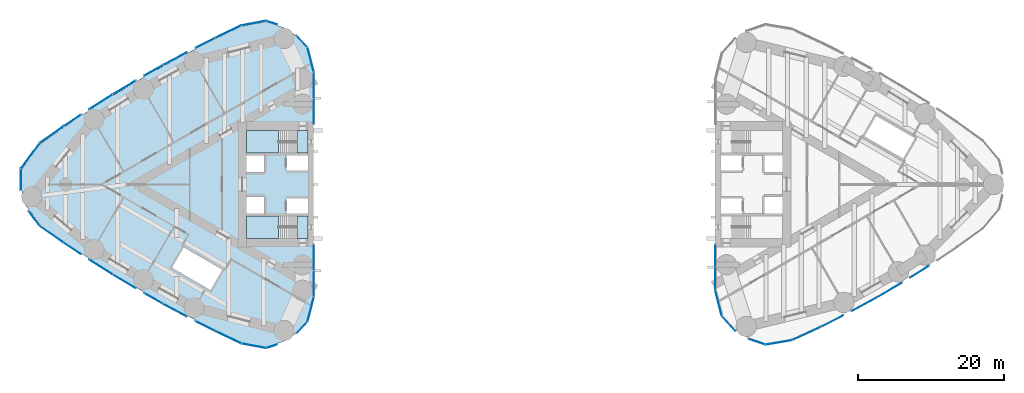
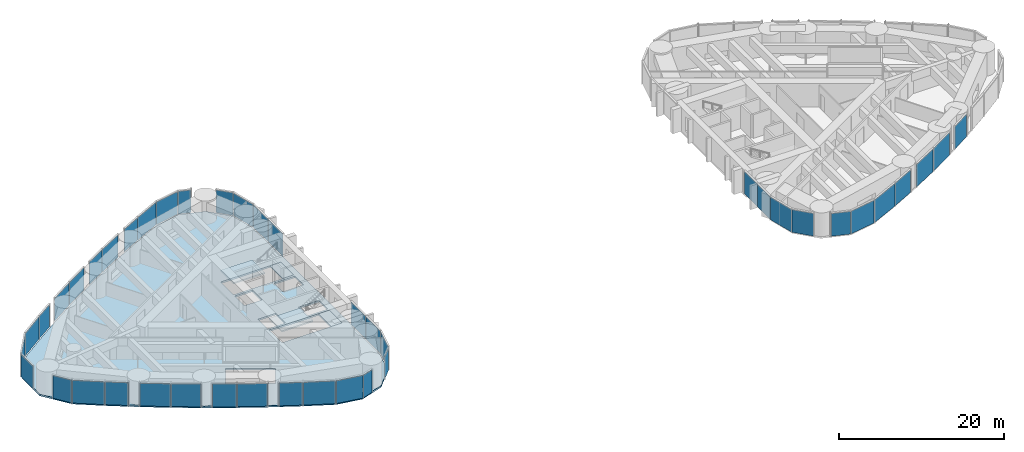
# One storey, part 10 of 17: 42 plates, 5 slabs, 16 elements without a shape of their own.
"""IFC4 building model written with IfcOpenShell, lengths in metres."""

from ifc_helpers import new_model, si_unit, direction, frame, origin, origin_2d, place, context, subcontext, project, spatial, polyline, rectangle, outline, extrude, material, layer, layer_set, type_object, element, aggregate, save


model = new_model("IFC4")

# Units and contexts
model_context = context("Model", 3, precision=1e-05, world=origin(), true_north=direction((0.0, 1.0)))
body_context = subcontext(model_context, "Body", "Model", "MODEL_VIEW")
ifc_project = project(units=[si_unit("LENGTHUNIT", "METRE"), si_unit("AREAUNIT", "SQUARE_METRE"), si_unit("VOLUMEUNIT", "CUBIC_METRE"), si_unit("PLANEANGLEUNIT", "RADIAN"), si_unit("MASSUNIT", "GRAM", prefix="KILO")], contexts=[model_context])

# Site, building, storey
site_placement = place(None, origin())
site = spatial("IfcSite", under=ifc_project, at=site_placement, CompositionType="ELEMENT")
building_placement = place(site_placement, origin())
building = spatial("IfcBuilding", under=site, at=building_placement, Name="Lancet Gate Hotel", CompositionType="ELEMENT")
storey_placement = place(building_placement, frame((0.0, 0.0, 201.800048828125)))
storey = spatial("IfcBuildingStorey", under=building, at=storey_placement, Name="L54", CompositionType="ELEMENT", Elevation=201.800048828125)

# Slab
ifc_material_1 = material(Name="Concrete C50/60", Category="concrete")
ifc_layer_1 = layer(ifc_material_1, 0.25)
ifc_layer_set_1 = layer_set([ifc_layer_1], Name="Floor slab 250")
slab_type_1 = type_object("IfcSlabType", Name="Floor slab 250", PredefinedType="FLOOR", material=ifc_layer_set_1)
slab_1_placement = place(storey_placement, frame((0.0, 0.0, -0.25)))
element("IfcSlab", 1, at=slab_1_placement, inside=storey, type_object=slab_type_1, Name="T1 L54 floor slab", PredefinedType="FLOOR", context=body_context, shape_type="SweptSolid", body=[
    extrude(outline(polyline([(-27.5, 8.60009765625), (-27.6201171875, 8.60009765625), (-27.6201171875, 15.408203125), (-28.46923828125, 18.7265625), (-30.797607421875, 21.217529296875), (-34.0361328125, 22.283935546875), (-37.403564453125, 21.660400390625), (-40.996826171875, 19.9453125), (-44.561767578125, 18.139404296875), (-48.0830078125, 16.250244140625), (-51.558837890625, 14.27880859375), (-54.987548828125, 12.22607421875), (-58.366943359375, 10.09326171875), (-61.695068359375, 7.881591796875), (-64.955322265625, 5.602783203125), (-67.49560546875, 2.138427734375), (-67.49560546875, -2.138427734375), (-64.955322265625, -5.602783203125), (-61.695068359375, -7.881591796875), (-58.366943359375, -10.09326171875), (-54.987548828125, -12.22607421875), (-51.558837890625, -14.27880859375), (-48.0830078125, -16.250244140625), (-44.561767578125, -18.139404296875), (-40.996826171875, -19.9453125), (-37.403564453125, -21.660400390625), (-34.0361328125, -22.283935546875), (-30.797607421875, -21.217529296875), (-28.46923828125, -18.7265625), (-27.6201171875, -15.408203125), (-27.6201171875, -8.60009765625), (-27.5, -8.60009765625), (-27.5, -8.199951171875), (-27.5, 8.199951171875), (-27.5, 8.60009765625)]), holes=[polyline([(-36.699951171875, 7.39990234375), (-36.699951171875, 4.300048828125), (-28.300048828125, 4.300048828125), (-28.300048828125, 7.39990234375), (-36.699951171875, 7.39990234375)]), polyline([(-28.300048828125, 4.0), (-31.199951171875, 4.0), (-31.199951171875, 1.89990234375), (-28.300048828125, 1.89990234375), (-28.300048828125, 4.0)]), polyline([(-34.25, 4.0), (-36.699951171875, 4.0), (-36.699951171875, 1.64990234375), (-34.25, 1.64990234375), (-34.25, 4.0)]), polyline([(-36.699951171875, -1.64990234375), (-36.699951171875, -4.0), (-34.25, -4.0), (-34.25, -1.64990234375), (-36.699951171875, -1.64990234375)]), polyline([(-28.300048828125, -1.89990234375), (-31.199951171875, -1.89990234375), (-31.199951171875, -4.0), (-28.300048828125, -4.0), (-28.300048828125, -1.89990234375)]), polyline([(-28.300048828125, -4.300048828125), (-36.699951171875, -4.300048828125), (-36.699951171875, -7.39990234375), (-28.300048828125, -7.39990234375), (-28.300048828125, -4.300048828125)]), polyline([(-45.319091796875, -8.631103515625), (-46.9189453125, -11.402099609375), (-41.635986328125, -14.451904296875), (-40.035888671875, -11.680908203125), (-45.319091796875, -8.631103515625)])]), origin(), (0.0, 0.0, 1.0), 0.25),
])

# Stair, slabs
ifc_material_2 = material(Name="Exit stair 20 risers 1500")
stair_type = type_object("IfcStairType", Name="Exit stair 20 risers 1500", PredefinedType="HALF_TURN_STAIR", material=ifc_material_2)
stair_1_placement = place(storey_placement, origin())
stair_1 = element("IfcStair", 2, at=stair_1_placement, inside=storey, type_object=stair_type, Name="T1 stair 1 L54", PredefinedType="HALF_TURN_STAIR")
ifc_material_3 = material(Name="Concrete C40/50", Category="concrete")
ifc_layer_2 = layer(ifc_material_3, 0.199951171875)
ifc_layer_set_2 = layer_set([ifc_layer_2], Name="Stair landing 200")
slab_type_2 = type_object("IfcSlabType", Name="Stair landing 200", PredefinedType="LANDING", material=ifc_layer_set_2)
slab_2_placement = place(storey_placement, frame((0.0, 0.0, -0.199951171875)))
slab_2 = element("IfcSlab", 3, at=slab_2_placement, type_object=slab_type_2, Name="ST1 landing 1", PredefinedType="LANDING", context=body_context, shape_type="SweptSolid", body=[
    extrude(outline(polyline([(-28.300048828125, 7.39990234375), (-29.800048828125, 7.39990234375), (-29.800048828125, 4.300048828125), (-28.300048828125, 4.300048828125), (-28.300048828125, 7.39990234375)])), origin(), (0.0, 0.0, 1.0), 0.199951171875),
])
slab_3_placement = place(storey_placement, frame((0.0, 0.0, 1.550048828125)))
slab_3 = element("IfcSlab", 4, at=slab_3_placement, type_object=slab_type_2, Name="ST1 landing 2", PredefinedType="LANDING", context=body_context, shape_type="SweptSolid", body=[
    extrude(outline(polyline([(-32.320068359375, 7.39990234375), (-36.699951171875, 7.39990234375), (-36.699951171875, 4.300048828125), (-32.320068359375, 4.300048828125), (-32.320068359375, 7.39990234375)])), origin(), (0.0, 0.0, 1.0), 0.199951171875),
])
aggregate(stair_1, [slab_2, slab_3])

stair_2_placement = place(storey_placement, origin())
stair_2 = element("IfcStair", 5, at=stair_2_placement, inside=storey, type_object=stair_type, Name="T1 stair 2 L54", PredefinedType="HALF_TURN_STAIR")
slab_4_placement = place(storey_placement, frame((0.0, 0.0, -0.199951171875)))
slab_4 = element("IfcSlab", 6, at=slab_4_placement, type_object=slab_type_2, Name="ST2 landing 1", PredefinedType="LANDING", context=body_context, shape_type="SweptSolid", body=[
    extrude(outline(polyline([(-28.300048828125, -4.300048828125), (-29.800048828125, -4.300048828125), (-29.800048828125, -7.39990234375), (-28.300048828125, -7.39990234375), (-28.300048828125, -4.300048828125)])), origin(), (0.0, 0.0, 1.0), 0.199951171875),
])
slab_5_placement = place(storey_placement, frame((0.0, 0.0, 1.550048828125)))
slab_5 = element("IfcSlab", 7, at=slab_5_placement, type_object=slab_type_2, Name="ST2 landing 2", PredefinedType="LANDING", context=body_context, shape_type="SweptSolid", body=[
    extrude(outline(polyline([(-32.320068359375, -4.300048828125), (-36.699951171875, -4.300048828125), (-36.699951171875, -7.39990234375), (-32.320068359375, -7.39990234375), (-32.320068359375, -4.300048828125)])), origin(), (0.0, 0.0, 1.0), 0.199951171875),
])
aggregate(stair_2, [slab_4, slab_5])

# Curtain wall, plates
ifc_material_4 = material(Name="Aluminium curtain wall", Category="aluminium")
curtain_wall_type = type_object("IfcCurtainWallType", Name="Tower unitised curtain wall", PredefinedType="USERDEFINED", material=ifc_material_4)
curtain_wall_1_placement = place(storey_placement, origin())
curtain_wall_1 = element("IfcCurtainWall", 8, at=curtain_wall_1_placement, inside=storey, type_object=curtain_wall_type, Name="T1 L54 curtain wall 1", ObjectType="UNITISED CURTAIN WALL", PredefinedType="USERDEFINED")
ifc_material_5 = material(Name="Glass double glazed unit 8-16-6", Category="glass")
ifc_layer_3 = layer(ifc_material_5, 0.030029296875)
ifc_layer_set_3 = layer_set([ifc_layer_3], Name="Vision panel double glazed")
plate_type = type_object("IfcPlateType", Name="Vision panel double glazed", PredefinedType="CURTAIN_PANEL", material=ifc_layer_set_3)
plate_1_placement = place(storey_placement, frame((-27.5, 10.005859375, 0.0), z_axis=(0.0, 0.0, 1.0), x_axis=(0.0, 1.0, 0.0)))
plate_1 = element("IfcPlate", 9, at=plate_1_placement, type_object=plate_type, Name="T1 L54 curtain wall 1 panel 1", PredefinedType="CURTAIN_PANEL", context=body_context, shape_type="SweptSolid", body=[
    extrude(rectangle(XDim=3.546630859375, YDim=0.030029296875, at=origin_2d()), origin(), (0.0, 0.0, 1.0), 3.35009765625),
])
plate_2_placement = place(storey_placement, frame((-27.5, 13.617431640625, 0.0), z_axis=(0.0, 0.0, 1.0), x_axis=(0.0, 1.0, 0.0)))
plate_2 = element("IfcPlate", 10, at=plate_2_placement, type_object=plate_type, Name="T1 L54 curtain wall 1 panel 2", PredefinedType="CURTAIN_PANEL", context=body_context, shape_type="SweptSolid", body=[
    extrude(rectangle(XDim=3.546630859375, YDim=0.030029296875, at=origin_2d()), origin(), (0.0, 0.0, 1.0), 3.35009765625),
])
plate_3_placement = place(storey_placement, frame((-27.930419921875, 17.104736328125, 0.0), z_axis=(0.0, 0.0, 1.0), x_axis=(-0.247936754654, 0.968776220647, 0.0)))
plate_3 = element("IfcPlate", 11, at=plate_3_placement, type_object=plate_type, Name="T1 L54 curtain wall 1 panel 3", PredefinedType="CURTAIN_PANEL", context=body_context, shape_type="SweptSolid", body=[
    extrude(rectangle(XDim=3.406005859375, YDim=0.030029296875, at=origin_2d()), origin(), (0.0, 0.0, 1.0), 3.35009765625),
])
plate_4_placement = place(storey_placement, frame((-29.109619140625, 19.58740234375, 0.0), z_axis=(0.0, 0.0, 1.0), x_axis=(-0.682844962172, 0.730563315282, 0.0)))
plate_4 = element("IfcPlate", 12, at=plate_4_placement, type_object=plate_type, Name="T1 L54 curtain wall 1 panel 4", PredefinedType="CURTAIN_PANEL", context=body_context, shape_type="SweptSolid", body=[
    extrude(rectangle(XDim=2.12841796875, YDim=0.030029296875, at=origin_2d()), origin(), (0.0, 0.0, 1.0), 3.35009765625),
])
aggregate(curtain_wall_1, [plate_1, plate_2, plate_3, plate_4])

curtain_wall_2_placement = place(storey_placement, origin())
curtain_wall_2 = element("IfcCurtainWall", 13, at=curtain_wall_2_placement, inside=storey, type_object=curtain_wall_type, Name="T1 L54 curtain wall 2", ObjectType="UNITISED CURTAIN WALL", PredefinedType="USERDEFINED")
plate_5_placement = place(storey_placement, frame((-33.2548828125, 22.15283203125, 0.0), z_axis=(0.0, 0.0, 1.0), x_axis=(-0.949848055084, 0.312711803827, 0.0)))
plate_5 = element("IfcPlate", 14, at=plate_5_placement, type_object=plate_type, Name="T1 L54 curtain wall 2 panel 1", PredefinedType="CURTAIN_PANEL", context=body_context, shape_type="SweptSolid", body=[
    extrude(rectangle(XDim=1.562744140625, YDim=0.030029296875, at=origin_2d()), origin(), (0.0, 0.0, 1.0), 3.35009765625),
])
plate_6_placement = place(storey_placement, frame((-35.734375, 22.091552734375, 0.0), z_axis=(0.0, 0.0, 1.0), x_axis=(-0.983292499426, -0.182032581075, 0.0)))
plate_6 = element("IfcPlate", 15, at=plate_6_placement, type_object=plate_type, Name="T1 L54 curtain wall 2 panel 2", PredefinedType="CURTAIN_PANEL", context=body_context, shape_type="SweptSolid", body=[
    extrude(rectangle(XDim=3.406005859375, YDim=0.030029296875, at=origin_2d()), origin(), (0.0, 0.0, 1.0), 3.35009765625),
])
plate_7_placement = place(storey_placement, frame((-39.245361328125, 20.914306640625, 0.0), z_axis=(0.0, 0.0, 1.0), x_axis=(-0.902453530018, -0.430787216799, 0.0)))
plate_7 = element("IfcPlate", 16, at=plate_7_placement, type_object=plate_type, Name="T1 L54 curtain wall 2 panel 3", PredefinedType="CURTAIN_PANEL", context=body_context, shape_type="SweptSolid", body=[
    extrude(rectangle(XDim=3.933837890625, YDim=0.030029296875, at=origin_2d()), origin(), (0.0, 0.0, 1.0), 3.35009765625),
])
plate_8_placement = place(storey_placement, frame((-42.361328125, 19.388427734375, 0.0), z_axis=(0.0, 0.0, 1.0), x_axis=(-0.892071119911, -0.451895028762, 0.0)))
plate_8 = element("IfcPlate", 17, at=plate_8_placement, type_object=plate_type, Name="T1 L54 curtain wall 2 panel 4", PredefinedType="CURTAIN_PANEL", context=body_context, shape_type="SweptSolid", body=[
    extrude(rectangle(XDim=2.875244140625, YDim=0.030029296875, at=origin_2d()), origin(), (0.0, 0.0, 1.0), 3.35009765625),
])
aggregate(curtain_wall_2, [plate_5, plate_6, plate_7, plate_8])

curtain_wall_3_placement = place(storey_placement, origin())
curtain_wall_3 = element("IfcCurtainWall", 18, at=curtain_wall_3_placement, inside=storey, type_object=curtain_wall_type, Name="T1 L54 curtain wall 3", ObjectType="UNITISED CURTAIN WALL", PredefinedType="USERDEFINED")
plate_9_placement = place(storey_placement, frame((-46.492919921875, 17.239501953125, 0.0), z_axis=(0.0, 0.0, 1.0), x_axis=(-0.881195096384, -0.472752791751, 0.0)))
plate_9 = element("IfcPlate", 19, at=plate_9_placement, type_object=plate_type, Name="T1 L54 curtain wall 3 panel 1", PredefinedType="CURTAIN_PANEL", context=body_context, shape_type="SweptSolid", body=[
    extrude(rectangle(XDim=3.675537109375, YDim=0.030029296875, at=origin_2d()), origin(), (0.0, 0.0, 1.0), 3.35009765625),
])
plate_10_placement = place(storey_placement, frame((-49.457275390625, 15.60888671875, 0.0), z_axis=(0.0, 0.0, 1.0), x_axis=(-0.869831477496, -0.493348964484, 0.0)))
plate_10 = element("IfcPlate", 20, at=plate_10_placement, type_object=plate_type, Name="T1 L54 curtain wall 3 panel 2", PredefinedType="CURTAIN_PANEL", context=body_context, shape_type="SweptSolid", body=[
    extrude(rectangle(XDim=2.96142578125, YDim=0.030029296875, at=origin_2d()), origin(), (0.0, 0.0, 1.0), 3.35009765625),
])
aggregate(curtain_wall_3, [plate_9, plate_10])

curtain_wall_4_placement = place(storey_placement, origin())
curtain_wall_4 = element("IfcCurtainWall", 21, at=curtain_wall_4_placement, inside=storey, type_object=curtain_wall_type, Name="T1 L54 curtain wall 4", ObjectType="UNITISED CURTAIN WALL", PredefinedType="USERDEFINED")
plate_11_placement = place(storey_placement, frame((-53.472900390625, 13.272705078125, 0.0), z_axis=(0.0, 0.0, 1.0), x_axis=(-0.857986551132, -0.51367215038, 0.0)))
plate_11 = element("IfcPlate", 22, at=plate_11_placement, type_object=plate_type, Name="T1 L54 curtain wall 4 panel 1", PredefinedType="CURTAIN_PANEL", context=body_context, shape_type="SweptSolid", body=[
    extrude(rectangle(XDim=3.61181640625, YDim=0.030029296875, at=origin_2d()), origin(), (0.0, 0.0, 1.0), 3.35009765625),
])
plate_12_placement = place(storey_placement, frame((-56.650390625, 11.318359375, 0.0), z_axis=(0.0, 0.0, 1.0), x_axis=(-0.845666871497, -0.533711103925, 0.0)))
plate_12 = element("IfcPlate", 23, at=plate_12_placement, type_object=plate_type, Name="T1 L54 curtain wall 4 panel 2", PredefinedType="CURTAIN_PANEL", context=body_context, shape_type="SweptSolid", body=[
    extrude(rectangle(XDim=3.71923828125, YDim=0.030029296875, at=origin_2d()), origin(), (0.0, 0.0, 1.0), 3.35009765625),
])
aggregate(curtain_wall_4, [plate_11, plate_12])

curtain_wall_5_placement = place(storey_placement, origin())
curtain_wall_5 = element("IfcCurtainWall", 24, at=curtain_wall_5_placement, inside=storey, type_object=curtain_wall_type, Name="T1 L54 curtain wall 5", ObjectType="UNITISED CURTAIN WALL", PredefinedType="USERDEFINED")
plate_13_placement = place(storey_placement, frame((-60.5634765625, 8.77783203125, 0.0), z_axis=(0.0, 0.0, 1.0), x_axis=(-0.832879255498, -0.553454736867, 0.0)))
plate_13 = element("IfcPlate", 25, at=plate_13_placement, type_object=plate_type, Name="T1 L54 curtain wall 5 panel 1", PredefinedType="CURTAIN_PANEL", context=body_context, shape_type="SweptSolid", body=[
    extrude(rectangle(XDim=2.814697265625, YDim=0.030029296875, at=origin_2d()), origin(), (0.0, 0.0, 1.0), 3.35009765625),
])
plate_14_placement = place(storey_placement, frame((-63.401611328125, 6.835205078125, 0.0), z_axis=(0.0, 0.0, 1.0), x_axis=(-0.819630778943, -0.572892124409, 0.0)))
plate_14 = element("IfcPlate", 26, at=plate_14_placement, type_object=plate_type, Name="T1 L54 curtain wall 5 panel 2", PredefinedType="CURTAIN_PANEL", context=body_context, shape_type="SweptSolid", body=[
    extrude(rectangle(XDim=3.933837890625, YDim=0.030029296875, at=origin_2d()), origin(), (0.0, 0.0, 1.0), 3.35009765625),
])
plate_15_placement = place(storey_placement, frame((-66.328125, 3.933837890625, 0.0), z_axis=(0.0, 0.0, 1.0), x_axis=(-0.591299785592, -0.806451835858, 0.0)))
plate_15 = element("IfcPlate", 27, at=plate_15_placement, type_object=plate_type, Name="T1 L54 curtain wall 5 panel 3", PredefinedType="CURTAIN_PANEL", context=body_context, shape_type="SweptSolid", body=[
    extrude(rectangle(XDim=4.290283203125, YDim=0.030029296875, at=origin_2d()), origin(), (0.0, 0.0, 1.0), 3.35009765625),
])
plate_16_placement = place(storey_placement, frame((-67.61572265625, 0.686279296875, 0.0), z_axis=(0.0, 0.0, 1.0), x_axis=(0.0, -1.0, 0.0)))
plate_16 = element("IfcPlate", 28, at=plate_16_placement, type_object=plate_type, Name="T1 L54 curtain wall 5 panel 4", PredefinedType="CURTAIN_PANEL", context=body_context, shape_type="SweptSolid", body=[
    extrude(rectangle(XDim=2.917724609375, YDim=0.030029296875, at=origin_2d()), origin(), (0.0, 0.0, 1.0), 3.35009765625),
])
aggregate(curtain_wall_5, [plate_13, plate_14, plate_15, plate_16])

curtain_wall_6_placement = place(storey_placement, origin())
curtain_wall_6 = element("IfcCurtainWall", 29, at=curtain_wall_6_placement, inside=storey, type_object=curtain_wall_type, Name="T1 L54 curtain wall 6", ObjectType="UNITISED CURTAIN WALL", PredefinedType="USERDEFINED")
plate_17_placement = place(storey_placement, frame((-65.795654296875, -4.65966796875, 0.0), z_axis=(0.0, 0.0, 1.0), x_axis=(0.591299785592, -0.806451835858, 0.0)))
plate_17 = element("IfcPlate", 30, at=plate_17_placement, type_object=plate_type, Name="T1 L54 curtain wall 6 panel 1", PredefinedType="CURTAIN_PANEL", context=body_context, shape_type="SweptSolid", body=[
    extrude(rectangle(XDim=2.489501953125, YDim=0.030029296875, at=origin_2d()), origin(), (0.0, 0.0, 1.0), 3.35009765625),
])
plate_18_placement = place(storey_placement, frame((-63.401611328125, -6.835205078125, 0.0), z_axis=(0.0, 0.0, 1.0), x_axis=(0.819630778943, -0.572892124409, 0.0)))
plate_18 = element("IfcPlate", 31, at=plate_18_placement, type_object=plate_type, Name="T1 L54 curtain wall 6 panel 2", PredefinedType="CURTAIN_PANEL", context=body_context, shape_type="SweptSolid", body=[
    extrude(rectangle(XDim=3.933837890625, YDim=0.030029296875, at=origin_2d()), origin(), (0.0, 0.0, 1.0), 3.35009765625),
])
plate_19_placement = place(storey_placement, frame((-60.5634765625, -8.77783203125, 0.0), z_axis=(0.0, 0.0, 1.0), x_axis=(0.832879255498, -0.553454736867, 0.0)))
plate_19 = element("IfcPlate", 32, at=plate_19_placement, type_object=plate_type, Name="T1 L54 curtain wall 6 panel 3", PredefinedType="CURTAIN_PANEL", context=body_context, shape_type="SweptSolid", body=[
    extrude(rectangle(XDim=2.814697265625, YDim=0.030029296875, at=origin_2d()), origin(), (0.0, 0.0, 1.0), 3.35009765625),
])
aggregate(curtain_wall_6, [plate_17, plate_18, plate_19])

curtain_wall_7_placement = place(storey_placement, origin())
curtain_wall_7 = element("IfcCurtainWall", 33, at=curtain_wall_7_placement, inside=storey, type_object=curtain_wall_type, Name="T1 L54 curtain wall 7", ObjectType="UNITISED CURTAIN WALL", PredefinedType="USERDEFINED")
plate_20_placement = place(storey_placement, frame((-56.650390625, -11.318359375, 0.0), z_axis=(0.0, 0.0, 1.0), x_axis=(0.845666871497, -0.533711103925, 0.0)))
plate_20 = element("IfcPlate", 34, at=plate_20_placement, type_object=plate_type, Name="T1 L54 curtain wall 7 panel 1", PredefinedType="CURTAIN_PANEL", context=body_context, shape_type="SweptSolid", body=[
    extrude(rectangle(XDim=3.71923828125, YDim=0.030029296875, at=origin_2d()), origin(), (0.0, 0.0, 1.0), 3.35009765625),
])
plate_21_placement = place(storey_placement, frame((-53.472900390625, -13.272705078125, 0.0), z_axis=(0.0, 0.0, 1.0), x_axis=(0.857986551132, -0.51367215038, 0.0)))
plate_21 = element("IfcPlate", 35, at=plate_21_placement, type_object=plate_type, Name="T1 L54 curtain wall 7 panel 2", PredefinedType="CURTAIN_PANEL", context=body_context, shape_type="SweptSolid", body=[
    extrude(rectangle(XDim=3.61181640625, YDim=0.030029296875, at=origin_2d()), origin(), (0.0, 0.0, 1.0), 3.35009765625),
])
aggregate(curtain_wall_7, [plate_20, plate_21])

curtain_wall_8_placement = place(storey_placement, origin())
curtain_wall_8 = element("IfcCurtainWall", 36, at=curtain_wall_8_placement, inside=storey, type_object=curtain_wall_type, Name="T1 L54 curtain wall 8", ObjectType="UNITISED CURTAIN WALL", PredefinedType="USERDEFINED")
plate_22_placement = place(storey_placement, frame((-49.457275390625, -15.60888671875, 0.0), z_axis=(0.0, 0.0, 1.0), x_axis=(0.869831477496, -0.493348964484, 0.0)))
plate_22 = element("IfcPlate", 37, at=plate_22_placement, type_object=plate_type, Name="T1 L54 curtain wall 8 panel 1", PredefinedType="CURTAIN_PANEL", context=body_context, shape_type="SweptSolid", body=[
    extrude(rectangle(XDim=2.96142578125, YDim=0.030029296875, at=origin_2d()), origin(), (0.0, 0.0, 1.0), 3.35009765625),
])
plate_23_placement = place(storey_placement, frame((-46.492919921875, -17.239501953125, 0.0), z_axis=(0.0, 0.0, 1.0), x_axis=(0.881195096384, -0.472752791751, 0.0)))
plate_23 = element("IfcPlate", 38, at=plate_23_placement, type_object=plate_type, Name="T1 L54 curtain wall 8 panel 2", PredefinedType="CURTAIN_PANEL", context=body_context, shape_type="SweptSolid", body=[
    extrude(rectangle(XDim=3.675537109375, YDim=0.030029296875, at=origin_2d()), origin(), (0.0, 0.0, 1.0), 3.35009765625),
])
aggregate(curtain_wall_8, [plate_22, plate_23])

curtain_wall_9_placement = place(storey_placement, origin())
curtain_wall_9 = element("IfcCurtainWall", 39, at=curtain_wall_9_placement, inside=storey, type_object=curtain_wall_type, Name="T1 L54 curtain wall 9", ObjectType="UNITISED CURTAIN WALL", PredefinedType="USERDEFINED")
plate_24_placement = place(storey_placement, frame((-42.361328125, -19.388427734375, 0.0), z_axis=(0.0, 0.0, 1.0), x_axis=(0.892071119911, -0.451895028762, 0.0)))
plate_24 = element("IfcPlate", 40, at=plate_24_placement, type_object=plate_type, Name="T1 L54 curtain wall 9 panel 1", PredefinedType="CURTAIN_PANEL", context=body_context, shape_type="SweptSolid", body=[
    extrude(rectangle(XDim=2.875244140625, YDim=0.030029296875, at=origin_2d()), origin(), (0.0, 0.0, 1.0), 3.35009765625),
])
plate_25_placement = place(storey_placement, frame((-39.245361328125, -20.914306640625, 0.0), z_axis=(0.0, 0.0, 1.0), x_axis=(0.902453530018, -0.430787216799, 0.0)))
plate_25 = element("IfcPlate", 41, at=plate_25_placement, type_object=plate_type, Name="T1 L54 curtain wall 9 panel 2", PredefinedType="CURTAIN_PANEL", context=body_context, shape_type="SweptSolid", body=[
    extrude(rectangle(XDim=3.933837890625, YDim=0.030029296875, at=origin_2d()), origin(), (0.0, 0.0, 1.0), 3.35009765625),
])
plate_26_placement = place(storey_placement, frame((-35.734375, -22.091552734375, 0.0), z_axis=(0.0, 0.0, 1.0), x_axis=(0.983292499426, -0.182032581075, 0.0)))
plate_26 = element("IfcPlate", 42, at=plate_26_placement, type_object=plate_type, Name="T1 L54 curtain wall 9 panel 3", PredefinedType="CURTAIN_PANEL", context=body_context, shape_type="SweptSolid", body=[
    extrude(rectangle(XDim=3.406005859375, YDim=0.030029296875, at=origin_2d()), origin(), (0.0, 0.0, 1.0), 3.35009765625),
])
plate_27_placement = place(storey_placement, frame((-33.2548828125, -22.15283203125, 0.0), z_axis=(0.0, 0.0, 1.0), x_axis=(0.949848055084, 0.312711803827, 0.0)))
plate_27 = element("IfcPlate", 43, at=plate_27_placement, type_object=plate_type, Name="T1 L54 curtain wall 9 panel 4", PredefinedType="CURTAIN_PANEL", context=body_context, shape_type="SweptSolid", body=[
    extrude(rectangle(XDim=1.562744140625, YDim=0.030029296875, at=origin_2d()), origin(), (0.0, 0.0, 1.0), 3.35009765625),
])
aggregate(curtain_wall_9, [plate_24, plate_25, plate_26, plate_27])

curtain_wall_10_placement = place(storey_placement, origin())
curtain_wall_10 = element("IfcCurtainWall", 44, at=curtain_wall_10_placement, inside=storey, type_object=curtain_wall_type, Name="T1 L54 curtain wall 10", ObjectType="UNITISED CURTAIN WALL", PredefinedType="USERDEFINED")
plate_28_placement = place(storey_placement, frame((-29.109619140625, -19.58740234375, 0.0), z_axis=(0.0, 0.0, 1.0), x_axis=(0.682844962172, 0.730563315282, 0.0)))
plate_28 = element("IfcPlate", 45, at=plate_28_placement, type_object=plate_type, Name="T1 L54 curtain wall 10 panel 1", PredefinedType="CURTAIN_PANEL", context=body_context, shape_type="SweptSolid", body=[
    extrude(rectangle(XDim=2.12841796875, YDim=0.030029296875, at=origin_2d()), origin(), (0.0, 0.0, 1.0), 3.35009765625),
])
plate_29_placement = place(storey_placement, frame((-27.930419921875, -17.104736328125, 0.0), z_axis=(0.0, 0.0, 1.0), x_axis=(0.247936754654, 0.968776220647, 0.0)))
plate_29 = element("IfcPlate", 46, at=plate_29_placement, type_object=plate_type, Name="T1 L54 curtain wall 10 panel 2", PredefinedType="CURTAIN_PANEL", context=body_context, shape_type="SweptSolid", body=[
    extrude(rectangle(XDim=3.406005859375, YDim=0.030029296875, at=origin_2d()), origin(), (0.0, 0.0, 1.0), 3.35009765625),
])
plate_30_placement = place(storey_placement, frame((-27.5, -13.617431640625, 0.0), z_axis=(0.0, 0.0, 1.0), x_axis=(0.0, 1.0, 0.0)))
plate_30 = element("IfcPlate", 47, at=plate_30_placement, type_object=plate_type, Name="T1 L54 curtain wall 10 panel 3", PredefinedType="CURTAIN_PANEL", context=body_context, shape_type="SweptSolid", body=[
    extrude(rectangle(XDim=3.546630859375, YDim=0.030029296875, at=origin_2d()), origin(), (0.0, 0.0, 1.0), 3.35009765625),
])
plate_31_placement = place(storey_placement, frame((-27.5, -10.005859375, 0.0), z_axis=(0.0, 0.0, 1.0), x_axis=(0.0, 1.0, 0.0)))
plate_31 = element("IfcPlate", 48, at=plate_31_placement, type_object=plate_type, Name="T1 L54 curtain wall 10 panel 4", PredefinedType="CURTAIN_PANEL", context=body_context, shape_type="SweptSolid", body=[
    extrude(rectangle(XDim=3.546630859375, YDim=0.030029296875, at=origin_2d()), origin(), (0.0, 0.0, 1.0), 3.35009765625),
])
aggregate(curtain_wall_10, [plate_28, plate_29, plate_30, plate_31])

curtain_wall_11_placement = place(storey_placement, origin())
curtain_wall_11 = element("IfcCurtainWall", 49, at=curtain_wall_11_placement, inside=storey, type_object=curtain_wall_type, Name="T2 L54 curtain wall 1", ObjectType="UNITISED CURTAIN WALL", PredefinedType="USERDEFINED")
plate_32_placement = place(storey_placement, frame((27.5, -9.766357421875, 0.0), z_axis=(0.0, 0.0, 1.0), x_axis=(0.0, -1.0, 0.0)))
plate_32 = element("IfcPlate", 50, at=plate_32_placement, type_object=plate_type, Name="T2 L54 curtain wall 1 panel 1", PredefinedType="CURTAIN_PANEL", context=body_context, shape_type="SweptSolid", body=[
    extrude(rectangle(XDim=3.06787109375, YDim=0.030029296875, at=origin_2d()), origin(), (0.0, 0.0, 1.0), 3.35009765625),
])
plate_33_placement = place(storey_placement, frame((27.5, -12.899169921875, 0.0), z_axis=(0.0, 0.0, 1.0), x_axis=(0.0, -1.0, 0.0)))
plate_33 = element("IfcPlate", 51, at=plate_33_placement, type_object=plate_type, Name="T2 L54 curtain wall 1 panel 2", PredefinedType="CURTAIN_PANEL", context=body_context, shape_type="SweptSolid", body=[
    extrude(rectangle(XDim=3.06787109375, YDim=0.030029296875, at=origin_2d()), origin(), (0.0, 0.0, 1.0), 3.35009765625),
])
plate_34_placement = place(storey_placement, frame((27.95458984375, -16.2548828125, 0.0), z_axis=(0.0, 0.0, 1.0), x_axis=(0.246166705764, -0.969227503207, 0.0)))
plate_34 = element("IfcPlate", 52, at=plate_34_placement, type_object=plate_type, Name="T2 L54 curtain wall 1 panel 3", PredefinedType="CURTAIN_PANEL", context=body_context, shape_type="SweptSolid", body=[
    extrude(rectangle(XDim=3.62744140625, YDim=0.030029296875, at=origin_2d()), origin(), (0.0, 0.0, 1.0), 3.35009765625),
])
plate_35_placement = place(storey_placement, frame((29.359130859375, -19.072265625, 0.0), z_axis=(0.0, 0.0, 1.0), x_axis=(0.67883123083, -0.734294327943, 0.0)))
plate_35 = element("IfcPlate", 53, at=plate_35_placement, type_object=plate_type, Name="T2 L54 curtain wall 1 panel 4", PredefinedType="CURTAIN_PANEL", context=body_context, shape_type="SweptSolid", body=[
    extrude(rectangle(XDim=2.734375, YDim=0.030029296875, at=origin_2d()), origin(), (0.0, 0.0, 1.0), 3.35009765625),
])
aggregate(curtain_wall_11, [plate_32, plate_33, plate_34, plate_35])

curtain_wall_12_placement = place(storey_placement, origin())
curtain_wall_12 = element("IfcCurtainWall", 54, at=curtain_wall_12_placement, inside=storey, type_object=curtain_wall_type, Name="T2 L54 curtain wall 2", ObjectType="UNITISED CURTAIN WALL", PredefinedType="USERDEFINED")
plate_36_placement = place(storey_placement, frame((33.227294921875, -21.540283203125, 0.0), z_axis=(0.0, 0.0, 1.0), x_axis=(0.946952368511, -0.321373943827, 0.0)))
plate_36 = element("IfcPlate", 55, at=plate_36_placement, type_object=plate_type, Name="T2 L54 curtain wall 2 panel 1", PredefinedType="CURTAIN_PANEL", context=body_context, shape_type="SweptSolid", body=[
    extrude(rectangle(XDim=2.4375, YDim=0.030029296875, at=origin_2d()), origin(), (0.0, 0.0, 1.0), 3.35009765625),
])
plate_37_placement = place(storey_placement, frame((36.231689453125, -21.629638671875, 0.0), z_axis=(0.0, 0.0, 1.0), x_axis=(0.985539649572, 0.169444973729, 0.0)))
plate_37 = element("IfcPlate", 56, at=plate_37_placement, type_object=plate_type, Name="T2 L54 curtain wall 2 panel 2", PredefinedType="CURTAIN_PANEL", context=body_context, shape_type="SweptSolid", body=[
    extrude(rectangle(XDim=3.62744140625, YDim=0.030029296875, at=origin_2d()), origin(), (0.0, 0.0, 1.0), 3.35009765625),
])
plate_38_placement = place(storey_placement, frame((40.0166015625, -20.40380859375, 0.0), z_axis=(0.0, 0.0, 1.0), x_axis=(0.906934888522, 0.421270824982, 0.0)))
plate_38 = element("IfcPlate", 57, at=plate_38_placement, type_object=plate_type, Name="T2 L54 curtain wall 2 panel 3", PredefinedType="CURTAIN_PANEL", context=body_context, shape_type="SweptSolid", body=[
    extrude(rectangle(XDim=4.26904296875, YDim=0.030029296875, at=origin_2d()), origin(), (0.0, 0.0, 1.0), 3.35009765625),
])
plate_39_placement = place(storey_placement, frame((43.51318359375, -18.7197265625, 0.0), z_axis=(0.0, 0.0, 1.0), x_axis=(0.893121465596, 0.449815570752, 0.0)))
plate_39 = element("IfcPlate", 58, at=plate_39_placement, type_object=plate_type, Name="T2 L54 curtain wall 2 panel 4", PredefinedType="CURTAIN_PANEL", context=body_context, shape_type="SweptSolid", body=[
    extrude(rectangle(XDim=3.364013671875, YDim=0.030029296875, at=origin_2d()), origin(), (0.0, 0.0, 1.0), 3.35009765625),
])
aggregate(curtain_wall_12, [plate_36, plate_37, plate_38, plate_39])

curtain_wall_13_placement = place(storey_placement, origin())
curtain_wall_13 = element("IfcCurtainWall", 59, at=curtain_wall_13_placement, inside=storey, type_object=curtain_wall_type, Name="T2 L54 curtain wall 3", ObjectType="UNITISED CURTAIN WALL", PredefinedType="USERDEFINED")
plate_40_placement = place(storey_placement, frame((47.9228515625, -16.415283203125, 0.0), z_axis=(0.0, 0.0, 1.0), x_axis=(0.878409907967, 0.477907976063, 0.0)))
plate_40 = element("IfcPlate", 60, at=plate_40_placement, type_object=plate_type, Name="T2 L54 curtain wall 3 panel 1", PredefinedType="CURTAIN_PANEL", context=body_context, shape_type="SweptSolid", body=[
    extrude(rectangle(XDim=3.88916015625, YDim=0.030029296875, at=origin_2d()), origin(), (0.0, 0.0, 1.0), 3.35009765625),
])
plate_41_placement = place(storey_placement, frame((51.387451171875, -14.4580078125, 0.0), z_axis=(0.0, 0.0, 1.0), x_axis=(0.862815009772, 0.505519790822, 0.0)))
plate_41 = element("IfcPlate", 61, at=plate_41_placement, type_object=plate_type, Name="T2 L54 curtain wall 3 panel 2", PredefinedType="CURTAIN_PANEL", context=body_context, shape_type="SweptSolid", body=[
    extrude(rectangle(XDim=3.93994140625, YDim=0.030029296875, at=origin_2d()), origin(), (0.0, 0.0, 1.0), 3.35009765625),
])
aggregate(curtain_wall_13, [plate_40, plate_41])

# Curtain wall, plate
curtain_wall_14_placement = place(storey_placement, origin())
curtain_wall_14 = element("IfcCurtainWall", 62, at=curtain_wall_14_placement, inside=storey, type_object=curtain_wall_type, Name="T2 L54 curtain wall 4", ObjectType="UNITISED CURTAIN WALL", PredefinedType="USERDEFINED")
plate_42_placement = place(storey_placement, frame((55.51806640625, -11.946044921875, 0.0), z_axis=(0.0, 0.0, 1.0), x_axis=(0.846352453444, 0.532623248225, 0.0)))
plate_42 = element("IfcPlate", 63, at=plate_42_placement, type_object=plate_type, Name="T2 L54 curtain wall 4 panel 1", PredefinedType="CURTAIN_PANEL", context=body_context, shape_type="SweptSolid", body=[
    extrude(rectangle(XDim=3.002197265625, YDim=0.030029296875, at=origin_2d()), origin(), (0.0, 0.0, 1.0), 3.35009765625),
])
aggregate(curtain_wall_14, [plate_42])

save(model, "model.ifc")
